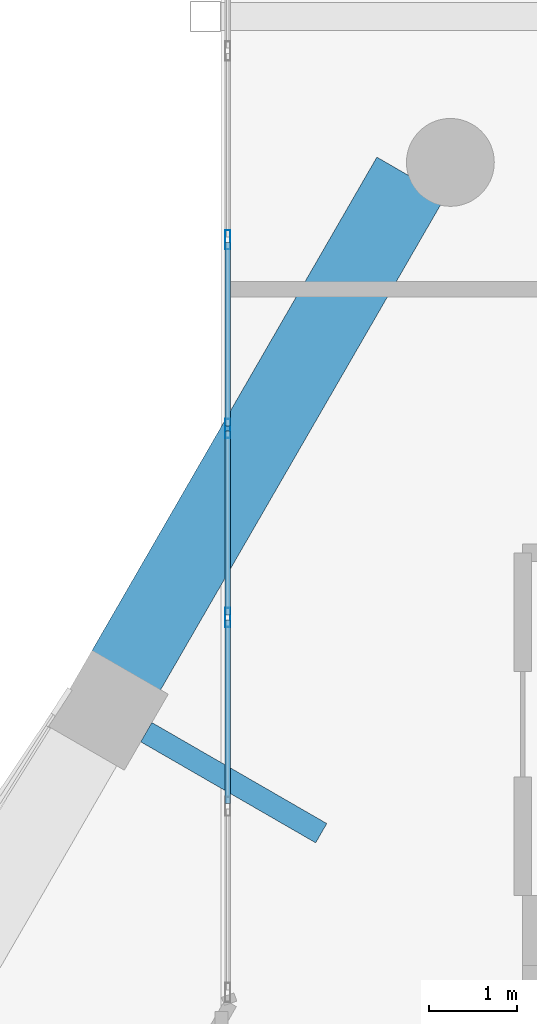
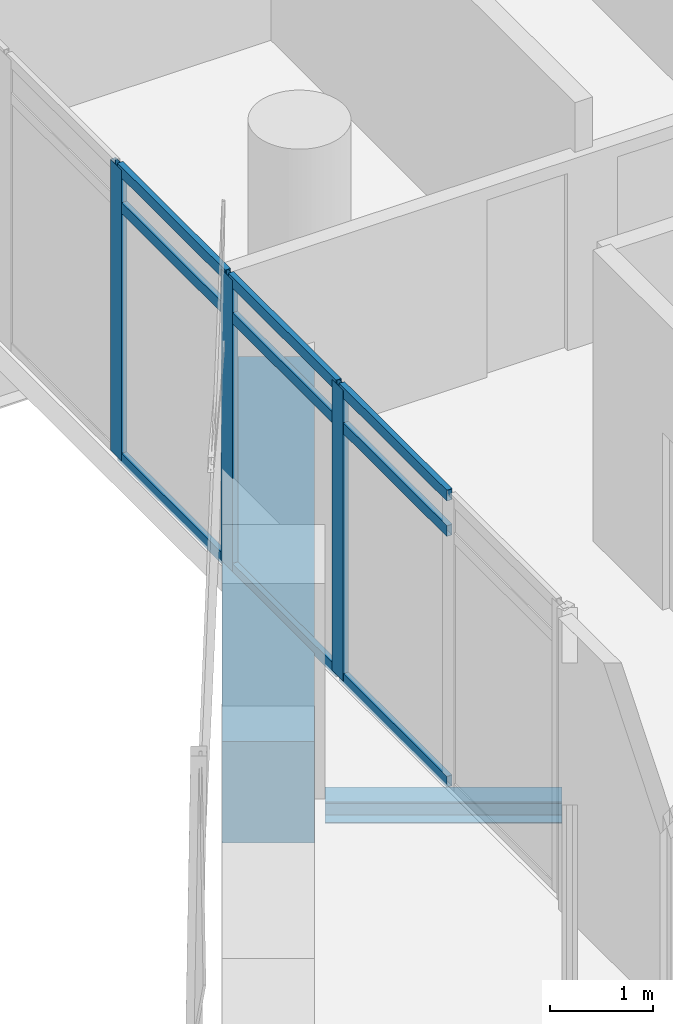
# One storey, part 16 of 37: 12 members, 2 beams, 1 element without a shape of its own.
"""IFC4 building model written with IfcOpenShell, lengths in metres."""

from ifc_helpers import new_model, si_unit, direction, frame, origin, origin_2d, place, context, subcontext, project, spatial, rectangle, hollow_rectangle, i_section, extrude, material, material_profile, profile_set, type_object, element, aggregate, save


model = new_model("IFC4")

# Units and contexts
model_context = context("Model", 3, precision=1e-05, world=origin(), true_north=direction((0.0, 1.0)))
body_context = subcontext(model_context, "Body", "Model", "MODEL_VIEW")
ifc_project = project(units=[si_unit("LENGTHUNIT", "METRE"), si_unit("AREAUNIT", "SQUARE_METRE"), si_unit("VOLUMEUNIT", "CUBIC_METRE"), si_unit("PLANEANGLEUNIT", "RADIAN"), si_unit("MASSUNIT", "GRAM", prefix="KILO")], contexts=[model_context])

# Site, building, storey
site_placement = place(None, origin())
site = spatial("IfcSite", under=ifc_project, at=site_placement, CompositionType="ELEMENT")
building_placement = place(site_placement, origin())
building = spatial("IfcBuilding", under=site, at=building_placement, Name="Ostrander Bayou Hotel Tower", CompositionType="ELEMENT")
storey_placement = place(building_placement, frame((0.0, 0.0, 198.25)))
storey = spatial("IfcBuildingStorey", under=building, at=storey_placement, Name="L49", CompositionType="ELEMENT", Elevation=198.25)

# Curtain wall, members
ifc_material_1 = material(Name="Aluminium and clear glass", Category="aluminium")
curtain_wall_type = type_object("IfcCurtainWallType", Name="CW-BAR glazed wall", PredefinedType="NOTDEFINED", material=ifc_material_1)
curtain_wall_placement = place(storey_placement, origin())
curtain_wall = element("IfcCurtainWall", 1, at=curtain_wall_placement, inside=storey, type_object=curtain_wall_type, Name="CW-BAR L49:SB4N:E", PredefinedType="NOTDEFINED")
ifc_material_2 = material(Name="Aluminium", Category="aluminium")
ifc_material_profile_1 = material_profile(ifc_material_2, hollow_rectangle(XDim=0.06005859375, YDim=0.219970703125, WallThickness=0.00390625, at=origin_2d()))
ifc_profile_set_1 = profile_set([ifc_material_profile_1], Name="Aluminium")
member_type_1 = type_object("IfcMemberType", Name="CW-BR mullion 60 x 220 mm", PredefinedType="MULLION", material=ifc_profile_set_1)
member_1_placement = place(storey_placement, frame((-11.857177734375, 12.86474609375, 0.0), z_axis=(0.0, 0.0, 1.0), x_axis=(-1.0, 0.0, 0.0)))
member_1 = element("IfcMember", 2, at=member_1_placement, type_object=member_type_1, Name="CW-BAR mullion 3", PredefinedType="MULLION", context=body_context, shape_type="SweptSolid", body=[
    extrude(hollow_rectangle(XDim=0.06005859375, YDim=0.219970703125, WallThickness=0.00390625, at=origin_2d()), origin(), (0.0, 0.0, 1.0), 3.449951171875),
])
member_2_placement = place(storey_placement, frame((-11.857177734375, 15.014892578125, 0.0), z_axis=(0.0, 0.0, 1.0), x_axis=(-1.0, 0.0, 0.0)))
member_2 = element("IfcMember", 3, at=member_2_placement, type_object=member_type_1, Name="CW-BAR mullion 4", PredefinedType="MULLION", context=body_context, shape_type="SweptSolid", body=[
    extrude(hollow_rectangle(XDim=0.06005859375, YDim=0.219970703125, WallThickness=0.00390625, at=origin_2d()), origin(), (0.0, 0.0, 1.0), 3.449951171875),
])
member_3_placement = place(storey_placement, frame((-11.857177734375, 17.1650390625, 0.0), z_axis=(0.0, 0.0, 1.0), x_axis=(-1.0, 0.0, 0.0)))
member_3 = element("IfcMember", 4, at=member_3_placement, type_object=member_type_1, Name="CW-BAR mullion 5", PredefinedType="MULLION", context=body_context, shape_type="SweptSolid", body=[
    extrude(hollow_rectangle(XDim=0.06005859375, YDim=0.219970703125, WallThickness=0.00390625, at=origin_2d()), origin(), (0.0, 0.0, 1.0), 3.449951171875),
])
ifc_material_3 = material(Name="Aluminium", Category="aluminium")
ifc_material_profile_2 = material_profile(ifc_material_3, hollow_rectangle(XDim=0.06005859375, YDim=0.1298828125, WallThickness=0.00390625, at=origin_2d()))
ifc_profile_set_2 = profile_set([ifc_material_profile_2], Name="Aluminium")
member_type_2 = type_object("IfcMemberType", Name="CW-BR transom 60 x 130 mm", PredefinedType="USERDEFINED", material=ifc_profile_set_2)
member_4_placement = place(storey_placement, frame((-11.857177734375, 10.74462890625, 0.030029296875), z_axis=(0.0, 1.0, 0.0), x_axis=(-1.0, 0.0, 0.0)))
member_4 = element("IfcMember", 5, at=member_4_placement, type_object=member_type_2, Name="CW-BAR transom 2.1", ObjectType="TRANSOM", PredefinedType="USERDEFINED", context=body_context, shape_type="SweptSolid", body=[
    extrude(hollow_rectangle(XDim=0.06005859375, YDim=0.1298828125, WallThickness=0.00390625, at=origin_2d()), origin(), (0.0, 0.0, 1.0), 2.090087890625),
])
member_5_placement = place(storey_placement, frame((-11.857177734375, 10.74462890625, 3.0), z_axis=(0.0, 1.0, 0.0), x_axis=(-1.0, 0.0, 0.0)))
member_5 = element("IfcMember", 6, at=member_5_placement, type_object=member_type_2, Name="CW-BAR transom 2.2", ObjectType="TRANSOM", PredefinedType="USERDEFINED", context=body_context, shape_type="SweptSolid", body=[
    extrude(hollow_rectangle(XDim=0.06005859375, YDim=0.1298828125, WallThickness=0.00390625, at=origin_2d()), origin(), (0.0, 0.0, 1.0), 2.090087890625),
])
member_6_placement = place(storey_placement, frame((-11.857177734375, 10.74462890625, 3.419921875), z_axis=(0.0, 1.0, 0.0), x_axis=(-1.0, 0.0, 0.0)))
member_6 = element("IfcMember", 7, at=member_6_placement, type_object=member_type_2, Name="CW-BAR transom 2.3", ObjectType="TRANSOM", PredefinedType="USERDEFINED", context=body_context, shape_type="SweptSolid", body=[
    extrude(hollow_rectangle(XDim=0.06005859375, YDim=0.1298828125, WallThickness=0.00390625, at=origin_2d()), origin(), (0.0, 0.0, 1.0), 2.090087890625),
])
member_7_placement = place(storey_placement, frame((-11.857177734375, 12.894775390625, 0.030029296875), z_axis=(0.0, 1.0, 0.0), x_axis=(-1.0, 0.0, 0.0)))
member_7 = element("IfcMember", 8, at=member_7_placement, type_object=member_type_2, Name="CW-BAR transom 3.1", ObjectType="TRANSOM", PredefinedType="USERDEFINED", context=body_context, shape_type="SweptSolid", body=[
    extrude(hollow_rectangle(XDim=0.06005859375, YDim=0.1298828125, WallThickness=0.00390625, at=origin_2d()), origin(), (0.0, 0.0, 1.0), 2.090087890625),
])
member_8_placement = place(storey_placement, frame((-11.857177734375, 12.894775390625, 3.0), z_axis=(0.0, 1.0, 0.0), x_axis=(-1.0, 0.0, 0.0)))
member_8 = element("IfcMember", 9, at=member_8_placement, type_object=member_type_2, Name="CW-BAR transom 3.2", ObjectType="TRANSOM", PredefinedType="USERDEFINED", context=body_context, shape_type="SweptSolid", body=[
    extrude(hollow_rectangle(XDim=0.06005859375, YDim=0.1298828125, WallThickness=0.00390625, at=origin_2d()), origin(), (0.0, 0.0, 1.0), 2.090087890625),
])
member_9_placement = place(storey_placement, frame((-11.857177734375, 12.894775390625, 3.419921875), z_axis=(0.0, 1.0, 0.0), x_axis=(-1.0, 0.0, 0.0)))
member_9 = element("IfcMember", 10, at=member_9_placement, type_object=member_type_2, Name="CW-BAR transom 3.3", ObjectType="TRANSOM", PredefinedType="USERDEFINED", context=body_context, shape_type="SweptSolid", body=[
    extrude(hollow_rectangle(XDim=0.06005859375, YDim=0.1298828125, WallThickness=0.00390625, at=origin_2d()), origin(), (0.0, 0.0, 1.0), 2.090087890625),
])
member_10_placement = place(storey_placement, frame((-11.857177734375, 15.044921875, 0.030029296875), z_axis=(0.0, 1.0, 0.0), x_axis=(-1.0, 0.0, 0.0)))
member_10 = element("IfcMember", 11, at=member_10_placement, type_object=member_type_2, Name="CW-BAR transom 4.1", ObjectType="TRANSOM", PredefinedType="USERDEFINED", context=body_context, shape_type="SweptSolid", body=[
    extrude(hollow_rectangle(XDim=0.06005859375, YDim=0.1298828125, WallThickness=0.00390625, at=origin_2d()), origin(), (0.0, 0.0, 1.0), 2.09033203125),
])
member_11_placement = place(storey_placement, frame((-11.857177734375, 15.044921875, 3.0), z_axis=(0.0, 1.0, 0.0), x_axis=(-1.0, 0.0, 0.0)))
member_11 = element("IfcMember", 12, at=member_11_placement, type_object=member_type_2, Name="CW-BAR transom 4.2", ObjectType="TRANSOM", PredefinedType="USERDEFINED", context=body_context, shape_type="SweptSolid", body=[
    extrude(hollow_rectangle(XDim=0.06005859375, YDim=0.1298828125, WallThickness=0.00390625, at=origin_2d()), origin(), (0.0, 0.0, 1.0), 2.09033203125),
])
member_12_placement = place(storey_placement, frame((-11.857177734375, 15.044921875, 3.419921875), z_axis=(0.0, 1.0, 0.0), x_axis=(-1.0, 0.0, 0.0)))
member_12 = element("IfcMember", 13, at=member_12_placement, type_object=member_type_2, Name="CW-BAR transom 4.3", ObjectType="TRANSOM", PredefinedType="USERDEFINED", context=body_context, shape_type="SweptSolid", body=[
    extrude(hollow_rectangle(XDim=0.06005859375, YDim=0.1298828125, WallThickness=0.00390625, at=origin_2d()), origin(), (0.0, 0.0, 1.0), 2.09033203125),
])
aggregate(curtain_wall, [member_1, member_2, member_3, member_4, member_5, member_6, member_7, member_8, member_9, member_10, member_11, member_12])

# Beams
ifc_material_4 = material(Name="Steel ASTM A992", Category="steel")
ifc_material_profile_3 = material_profile(ifc_material_4, i_section(OverallWidth=0.25390625, OverallDepth=0.25341796875, WebThickness=0.008544921875, FlangeThickness=0.01416015625, at=origin_2d()))
ifc_profile_set_3 = profile_set([ifc_material_profile_3], Name="Steel ASTM A992")
beam_type_1 = type_object("IfcBeamType", Name="LB2 loggia bracket W10x49", PredefinedType="BEAM", material=ifc_profile_set_3)
beam_1_placement = place(storey_placement, frame((-12.7841796875, 11.55859375, -0.4267578125), z_axis=(0.86602648383, -0.499998129301, 0.0), x_axis=(0.499998129301, 0.86602648383, 0.0)))
element("IfcBeam", 14, at=beam_1_placement, inside=storey, type_object=beam_type_1, Name="LB2 L49 NW1", PredefinedType="BEAM", context=body_context, shape_type="SweptSolid", body=[
    extrude(i_section(OverallWidth=0.25390625, OverallDepth=0.25341796875, WebThickness=0.008544921875, FlangeThickness=0.01416015625, at=origin_2d()), origin(), (0.0, 0.0, 1.0), 2.2998046875),
])
ifc_material_5 = material(Name="Concrete f'c 60 MPa", Category="concrete")
ifc_material_profile_4 = material_profile(ifc_material_5, rectangle(XDim=0.89990234375, YDim=1.199951171875, at=origin_2d()))
ifc_profile_set_4 = profile_set([ifc_material_profile_4], Name="Concrete f'c 60 MPa")
beam_type_2 = type_object("IfcBeamType", Name="SP3 spandrel beam 900 x 1200 mm f'c 60 MPa", PredefinedType="SPANDREL", material=ifc_profile_set_4)
beam_2_placement = place(storey_placement, frame((-9.76953125, 17.88037109375, -0.60009765625), z_axis=(-0.499977752261, -0.866038248142, 0.0), x_axis=(0.866038248142, -0.499977752261, 0.0)))
element("IfcBeam", 15, at=beam_2_placement, inside=storey, type_object=beam_type_2, Name="SP3 L49 NW-1", PredefinedType="SPANDREL", context=body_context, shape_type="SweptSolid", body=[
    extrude(rectangle(XDim=0.89990234375, YDim=1.199951171875, at=origin_2d()), origin(), (0.0, 0.0, 1.0), 6.511962890625),
])

save(model, "model.ifc")
